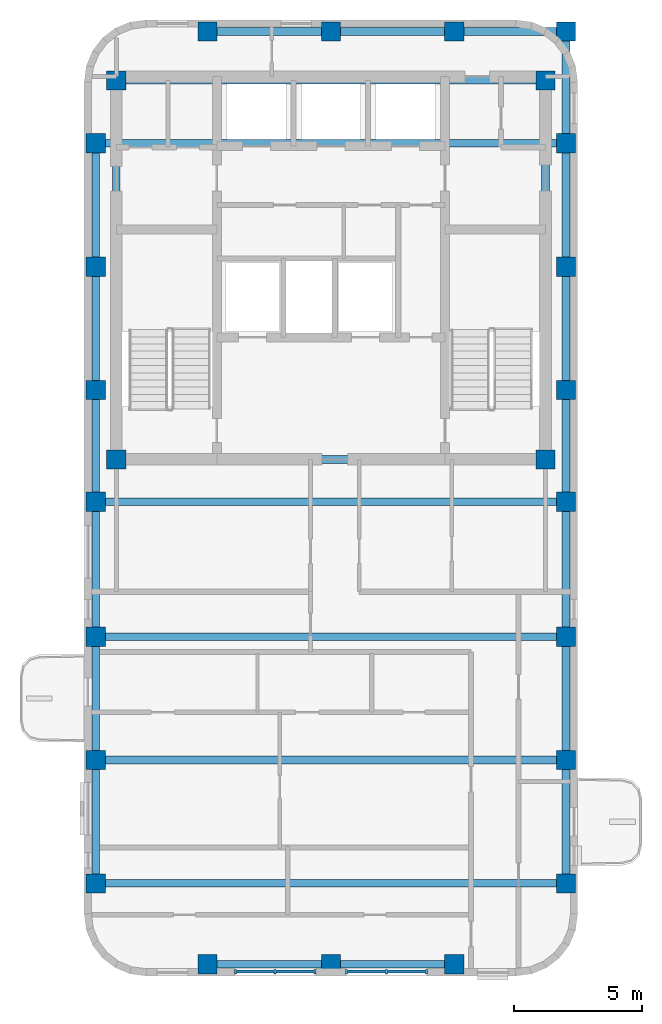
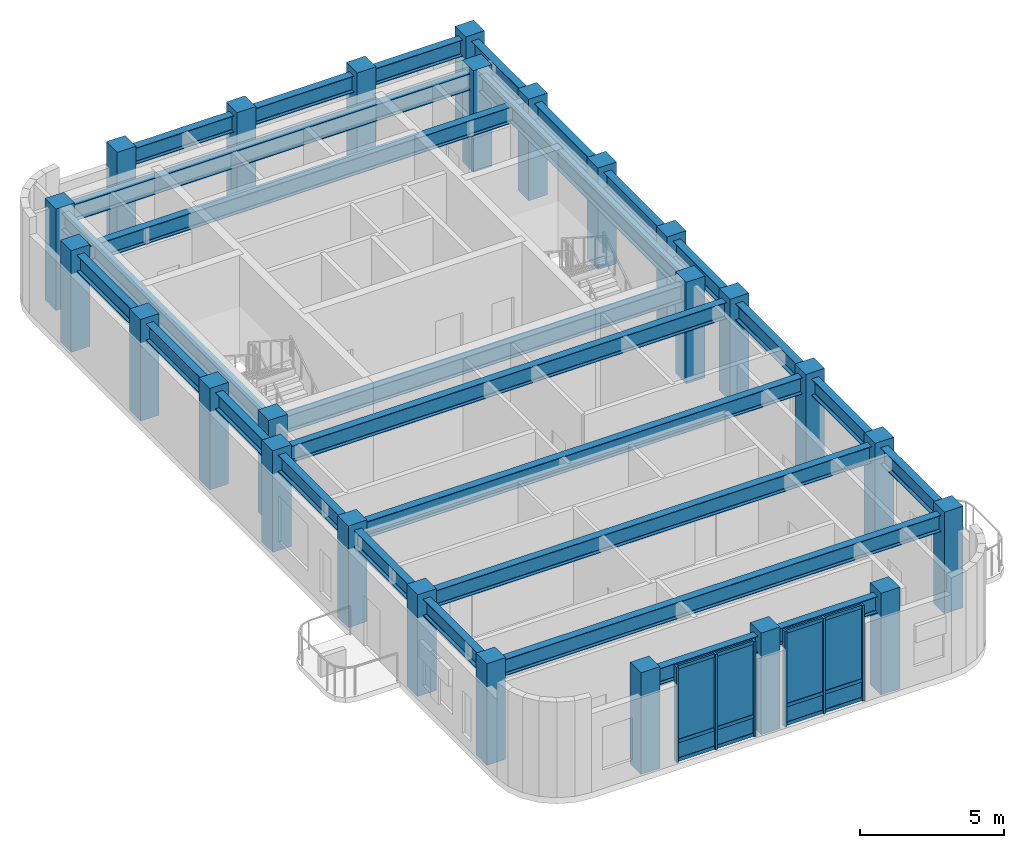
# One storey, part 1 of 6: 27 beams, 25 columns, 18 members, 8 plates, 2 elements without a shape of their own.
"""IFC4 building model written with IfcOpenShell, lengths in metres."""

from ifc_helpers import new_model, si_unit, direction, frame, origin, origin_2d, place, context, subcontext, project, spatial, rectangle, i_section, extrude, material, layer, layer_set, material_profile, profile_set, type_object, element, aggregate, save


model = new_model("IFC4")

# Units and contexts
model_context = context("Model", 3, precision=1e-05, world=origin(), true_north=direction((0.0, 1.0)))
body_context = subcontext(model_context, "Body", "Model", "MODEL_VIEW")
ifc_project = project(units=[si_unit("LENGTHUNIT", "METRE"), si_unit("AREAUNIT", "SQUARE_METRE"), si_unit("VOLUMEUNIT", "CUBIC_METRE"), si_unit("PLANEANGLEUNIT", "RADIAN"), si_unit("MASSUNIT", "GRAM", prefix="KILO")], contexts=[model_context])

# Site, building, storey
site_placement = place(None, origin())
site = spatial("IfcSite", under=ifc_project, at=site_placement, CompositionType="ELEMENT")
building_placement = place(site_placement, origin())
building = spatial("IfcBuilding", under=site, at=building_placement, Name="Orvandelia Arch Residences", CompositionType="ELEMENT")
storey_placement = place(building_placement, frame((0.0, 0.0, 278.5)))
storey = spatial("IfcBuildingStorey", under=building, at=storey_placement, Name="L72", CompositionType="ELEMENT", Elevation=278.5)

# Columns
ifc_material_1 = material(Name="Concrete C50/60", Category="concrete")
ifc_material_profile_1 = material_profile(ifc_material_1, rectangle(XDim=0.75, YDim=0.75, at=origin_2d()), Name="Concrete C50/60", Category="concrete")
ifc_profile_set_1 = profile_set([ifc_material_profile_1], Name="Concrete C50/60")
column_type = type_object("IfcColumnType", Name="COL-TWR-750", PredefinedType="COLUMN", material=ifc_profile_set_1)
for number, where, z_axis, x_axis, name in (
    (1, (5.25, 14.39990234375, 0.0), (0.0, 0.0, 1.0), (1.0, 0.0, 0.0), "Structural Column L72-W-W-144"),
    (2, (5.25, 19.199951171875, 0.0), (0.0, 0.0, 1.0), (1.0, 0.0, 0.0), "Structural Column L72-W-W-192"),
    (3, (5.25, 24.0, 0.0), (0.0, 0.0, 1.0), (1.0, 0.0, 0.0), "Structural Column L72-W-W-240"),
    (4, (5.25, 29.25, 0.0), (0.0, 0.0, 1.0), (1.0, 0.0, 0.0), "Structural Column L72-W-W-292"),
    (5, (5.25, 33.60009765625, 0.0), (0.0, 0.0, 1.0), (1.0, 0.0, 0.0), "Structural Column L72-W-W-336"),
    (6, (5.25, 38.39990234375, 0.0), (0.0, 0.0, 1.0), (1.0, 0.0, 0.0), "Structural Column L72-W-W-384"),
    (7, (5.25, 43.199951171875, 0.0), (0.0, 0.0, 1.0), (1.0, 0.0, 0.0), "Structural Column L72-W-W-432"),
    (8, (6.050048828125, 30.89990234375, 0.0), (0.0, 0.0, 1.0), (1.0, 0.0, 0.0), "Structural Column L72-CR-SW"),
    (9, (6.050048828125, 45.64990234375, 0.0), (0.0, 0.0, 1.0), (1.0, 0.0, 0.0), "Structural Column L72-CR-NW"),
    (10, (9.60009765625, 11.25, 0.0), (0.0, 0.0, 1.0), (1.0, 0.0, 0.0), "Structural Column L72-W-S-96"),
    (11, (9.60009765625, 47.550048828125, 0.0), (0.0, 0.0, 1.0), (1.0, 0.0, 0.0), "Structural Column L72-W-N-96"),
    (12, (14.39990234375, 11.25, 0.0), (0.0, 0.0, 1.0), (1.0, 0.0, 0.0), "Structural Column L72-W-S-144"),
    (13, (14.39990234375, 47.550048828125, 0.0), (0.0, 0.0, 1.0), (1.0, 0.0, 0.0), "Structural Column L72-W-N-144"),
    (14, (19.199951171875, 11.25, 0.0), (0.0, 0.0, 1.0), (1.0, 0.0, 0.0), "Structural Column L72-W-S-192"),
    (15, (19.199951171875, 47.550048828125, 0.0), (0.0, 0.0, 1.0), (1.0, 0.0, 0.0), "Structural Column L72-W-N-192"),
    (16, (22.75, 30.89990234375, 0.0), (0.0, 0.0, 1.0), (1.0, 0.0, 0.0), "Structural Column L72-CR-SE"),
    (17, (22.75, 45.64990234375, 0.0), (0.0, 0.0, 1.0), (1.0, 0.0, 0.0), "Structural Column L72-CR-NE"),
    (18, (23.550048828125, 14.39990234375, 0.0), (0.0, 0.0, 1.0), (1.0, 0.0, 0.0), "Structural Column L72-W-E-144"),
    (19, (23.550048828125, 19.199951171875, 0.0), (0.0, 0.0, 1.0), (1.0, 0.0, 0.0), "Structural Column L72-W-E-192"),
    (20, (23.550048828125, 24.0, 0.0), (0.0, 0.0, 1.0), (1.0, 0.0, 0.0), "Structural Column L72-W-E-240"),
    (21, (23.550048828125, 29.25, 0.0), (0.0, 0.0, 1.0), (1.0, 0.0, 0.0), "Structural Column L72-W-E-292"),
    (22, (23.550048828125, 33.60009765625, 0.0), (0.0, 0.0, 1.0), (1.0, 0.0, 0.0), "Structural Column L72-W-E-336"),
    (23, (23.550048828125, 38.39990234375, 0.0), (0.0, 0.0, 1.0), (1.0, 0.0, 0.0), "Structural Column L72-W-E-384"),
    (24, (23.550048828125, 43.199951171875, 0.0), (0.0, 0.0, 1.0), (1.0, 0.0, 0.0), "Structural Column L72-W-E-432"),
    (25, (23.550048828125, 47.550048828125, 0.0), (0.0, 0.0, 1.0), (1.0, 0.0, 0.0), "Structural Column L72-W-N-235"),
):
    element("IfcColumn", number, at=place(storey_placement, frame(where, z_axis=z_axis, x_axis=x_axis)), inside=storey, type_object=column_type, Name=name, PredefinedType="COLUMN", context=body_context, shape_type="SweptSolid", body=[
        extrude(rectangle(XDim=0.75, YDim=0.75, at=origin_2d()), origin(), (0.0, 0.0, 1.0), 4.300048828125),
    ])

# Beams
ifc_material_2 = material(Name="Structural Steel SM355 (355 MPa)", Category="steel")
ifc_material_profile_2 = material_profile(ifc_material_2, i_section(OverallWidth=0.300048828125, OverallDepth=0.699951171875, WebThickness=0.012939453125, FlangeThickness=0.02392578125, FilletRadius=0.02392578125, at=origin_2d()), Name="Structural Steel SM355 (355 MPa)", Category="steel")
ifc_profile_set_2 = profile_set([ifc_material_profile_2], Name="Structural Steel SM355 (355 MPa)")
beam_type = type_object("IfcBeamType", Name="BM-GRD-H700", PredefinedType="BEAM", material=ifc_profile_set_2)
for number, where, z_axis, x_axis, name in (
    (26, (5.25, 14.39990234375, 3.68994140625), (0.0, 1.0, 0.0), (-1.0, 0.0, 0.0), "Structural Frame Beam L72-NS-001"),
    (27, (5.25, 19.199951171875, 3.68994140625), (0.0, 1.0, 0.0), (-1.0, 0.0, 0.0), "Structural Frame Beam L72-NS-002"),
):
    element("IfcBeam", number, at=place(storey_placement, frame(where, z_axis=z_axis, x_axis=x_axis)), inside=storey, type_object=beam_type, Name=name, PredefinedType="BEAM", context=body_context, shape_type="SweptSolid", body=[
        extrude(i_section(OverallWidth=0.300048828125, OverallDepth=0.699951171875, WebThickness=0.012939453125, FlangeThickness=0.02392578125, FilletRadius=0.02392578125, at=origin_2d()), origin(), (0.0, 0.0, 1.0), 4.800048828125),
    ])
beam_1_placement = place(storey_placement, frame((5.25, 24.0, 3.68994140625), z_axis=(0.0, 1.0, 0.0), x_axis=(-1.0, 0.0, 0.0)))
element("IfcBeam", 28, at=beam_1_placement, inside=storey, type_object=beam_type, Name="Structural Frame Beam L72-NS-003", PredefinedType="BEAM", context=body_context, shape_type="SweptSolid", body=[
    extrude(i_section(OverallWidth=0.300048828125, OverallDepth=0.699951171875, WebThickness=0.012939453125, FlangeThickness=0.02392578125, FilletRadius=0.02392578125, at=origin_2d()), origin(), (0.0, 0.0, 1.0), 5.25),
])
beam_2_placement = place(storey_placement, frame((5.25, 29.25, 3.68994140625), z_axis=(0.0, 1.0, 0.0), x_axis=(-1.0, 0.0, 0.0)))
element("IfcBeam", 29, at=beam_2_placement, inside=storey, type_object=beam_type, Name="Structural Frame Beam L72-NS-004", PredefinedType="BEAM", context=body_context, shape_type="SweptSolid", body=[
    extrude(i_section(OverallWidth=0.300048828125, OverallDepth=0.699951171875, WebThickness=0.012939453125, FlangeThickness=0.02392578125, FilletRadius=0.02392578125, at=origin_2d()), origin(), (0.0, 0.0, 1.0), 4.35009765625),
])
beam_3_placement = place(storey_placement, frame((5.25, 33.60009765625, 3.68994140625), z_axis=(0.0, 1.0, 0.0), x_axis=(-1.0, 0.0, 0.0)))
element("IfcBeam", 30, at=beam_3_placement, inside=storey, type_object=beam_type, Name="Structural Frame Beam L72-NS-005", PredefinedType="BEAM", context=body_context, shape_type="SweptSolid", body=[
    extrude(i_section(OverallWidth=0.300048828125, OverallDepth=0.699951171875, WebThickness=0.012939453125, FlangeThickness=0.02392578125, FilletRadius=0.02392578125, at=origin_2d()), origin(), (0.0, 0.0, 1.0), 4.7998046875),
])
beam_4_placement = place(storey_placement, frame((5.25, 38.39990234375, 3.68994140625), z_axis=(0.0, 1.0, 0.0), x_axis=(-1.0, 0.0, 0.0)))
element("IfcBeam", 31, at=beam_4_placement, inside=storey, type_object=beam_type, Name="Structural Frame Beam L72-NS-006", PredefinedType="BEAM", context=body_context, shape_type="SweptSolid", body=[
    extrude(i_section(OverallWidth=0.300048828125, OverallDepth=0.699951171875, WebThickness=0.012939453125, FlangeThickness=0.02392578125, FilletRadius=0.02392578125, at=origin_2d()), origin(), (0.0, 0.0, 1.0), 4.800048828125),
])
for number, where, z_axis, x_axis, name in (
    (32, (6.050048828125, 30.89990234375, 3.68994140625), (0.0, 1.0, 0.0), (-1.0, 0.0, 0.0), "Structural Frame Beam L72-NS-007"),
    (33, (22.75, 30.89990234375, 3.68994140625), (0.0, 1.0, 0.0), (-1.0, 0.0, 0.0), "Structural Frame Beam L72-NS-008"),
):
    element("IfcBeam", number, at=place(storey_placement, frame(where, z_axis=z_axis, x_axis=x_axis)), inside=storey, type_object=beam_type, Name=name, PredefinedType="BEAM", context=body_context, shape_type="SweptSolid", body=[
        extrude(i_section(OverallWidth=0.300048828125, OverallDepth=0.699951171875, WebThickness=0.012939453125, FlangeThickness=0.02392578125, FilletRadius=0.02392578125, at=origin_2d()), origin(), (0.0, 0.0, 1.0), 14.75),
    ])
for number, where, z_axis, x_axis, name in (
    (34, (23.550048828125, 14.39990234375, 3.68994140625), (0.0, 1.0, 0.0), (-1.0, 0.0, 0.0), "Structural Frame Beam L72-NS-009"),
    (35, (23.550048828125, 19.199951171875, 3.68994140625), (0.0, 1.0, 0.0), (-1.0, 0.0, 0.0), "Structural Frame Beam L72-NS-010"),
):
    element("IfcBeam", number, at=place(storey_placement, frame(where, z_axis=z_axis, x_axis=x_axis)), inside=storey, type_object=beam_type, Name=name, PredefinedType="BEAM", context=body_context, shape_type="SweptSolid", body=[
        extrude(i_section(OverallWidth=0.300048828125, OverallDepth=0.699951171875, WebThickness=0.012939453125, FlangeThickness=0.02392578125, FilletRadius=0.02392578125, at=origin_2d()), origin(), (0.0, 0.0, 1.0), 4.800048828125),
    ])
beam_5_placement = place(storey_placement, frame((23.550048828125, 24.0, 3.68994140625), z_axis=(0.0, 1.0, 0.0), x_axis=(-1.0, 0.0, 0.0)))
element("IfcBeam", 36, at=beam_5_placement, inside=storey, type_object=beam_type, Name="Structural Frame Beam L72-NS-011", PredefinedType="BEAM", context=body_context, shape_type="SweptSolid", body=[
    extrude(i_section(OverallWidth=0.300048828125, OverallDepth=0.699951171875, WebThickness=0.012939453125, FlangeThickness=0.02392578125, FilletRadius=0.02392578125, at=origin_2d()), origin(), (0.0, 0.0, 1.0), 5.25),
])
beam_6_placement = place(storey_placement, frame((23.550048828125, 29.25, 3.68994140625), z_axis=(0.0, 1.0, 0.0), x_axis=(-1.0, 0.0, 0.0)))
element("IfcBeam", 37, at=beam_6_placement, inside=storey, type_object=beam_type, Name="Structural Frame Beam L72-NS-012", PredefinedType="BEAM", context=body_context, shape_type="SweptSolid", body=[
    extrude(i_section(OverallWidth=0.300048828125, OverallDepth=0.699951171875, WebThickness=0.012939453125, FlangeThickness=0.02392578125, FilletRadius=0.02392578125, at=origin_2d()), origin(), (0.0, 0.0, 1.0), 4.35009765625),
])
beam_7_placement = place(storey_placement, frame((23.550048828125, 33.60009765625, 3.68994140625), z_axis=(0.0, 1.0, 0.0), x_axis=(-1.0, 0.0, 0.0)))
element("IfcBeam", 38, at=beam_7_placement, inside=storey, type_object=beam_type, Name="Structural Frame Beam L72-NS-013", PredefinedType="BEAM", context=body_context, shape_type="SweptSolid", body=[
    extrude(i_section(OverallWidth=0.300048828125, OverallDepth=0.699951171875, WebThickness=0.012939453125, FlangeThickness=0.02392578125, FilletRadius=0.02392578125, at=origin_2d()), origin(), (0.0, 0.0, 1.0), 4.7998046875),
])
beam_8_placement = place(storey_placement, frame((23.550048828125, 38.39990234375, 3.68994140625), z_axis=(0.0, 1.0, 0.0), x_axis=(-1.0, 0.0, 0.0)))
element("IfcBeam", 39, at=beam_8_placement, inside=storey, type_object=beam_type, Name="Structural Frame Beam L72-NS-014", PredefinedType="BEAM", context=body_context, shape_type="SweptSolid", body=[
    extrude(i_section(OverallWidth=0.300048828125, OverallDepth=0.699951171875, WebThickness=0.012939453125, FlangeThickness=0.02392578125, FilletRadius=0.02392578125, at=origin_2d()), origin(), (0.0, 0.0, 1.0), 4.800048828125),
])
beam_9_placement = place(storey_placement, frame((23.550048828125, 43.199951171875, 3.68994140625), z_axis=(0.0, 1.0, 0.0), x_axis=(-1.0, 0.0, 0.0)))
element("IfcBeam", 40, at=beam_9_placement, inside=storey, type_object=beam_type, Name="Structural Frame Beam L72-NS-015", PredefinedType="BEAM", context=body_context, shape_type="SweptSolid", body=[
    extrude(i_section(OverallWidth=0.300048828125, OverallDepth=0.699951171875, WebThickness=0.012939453125, FlangeThickness=0.02392578125, FilletRadius=0.02392578125, at=origin_2d()), origin(), (0.0, 0.0, 1.0), 4.35009765625),
])
beam_10_placement = place(storey_placement, frame((9.60009765625, 11.25, 3.68994140625), z_axis=(1.0, 0.0, 0.0), x_axis=(0.0, 1.0, 0.0)))
element("IfcBeam", 41, at=beam_10_placement, inside=storey, type_object=beam_type, Name="Structural Frame Girder L72-EW-016", PredefinedType="BEAM", context=body_context, shape_type="SweptSolid", body=[
    extrude(i_section(OverallWidth=0.300048828125, OverallDepth=0.699951171875, WebThickness=0.012939453125, FlangeThickness=0.02392578125, FilletRadius=0.02392578125, at=origin_2d()), origin(), (0.0, 0.0, 1.0), 4.7998046875),
])
beam_11_placement = place(storey_placement, frame((14.39990234375, 11.25, 3.68994140625), z_axis=(1.0, 0.0, 0.0), x_axis=(0.0, 1.0, 0.0)))
element("IfcBeam", 42, at=beam_11_placement, inside=storey, type_object=beam_type, Name="Structural Frame Girder L72-EW-017", PredefinedType="BEAM", context=body_context, shape_type="SweptSolid", body=[
    extrude(i_section(OverallWidth=0.300048828125, OverallDepth=0.699951171875, WebThickness=0.012939453125, FlangeThickness=0.02392578125, FilletRadius=0.02392578125, at=origin_2d()), origin(), (0.0, 0.0, 1.0), 4.800048828125),
])
for number, where, z_axis, x_axis, name in (
    (43, (5.25, 14.39990234375, 3.68994140625), (1.0, 0.0, 0.0), (0.0, 1.0, 0.0), "Structural Frame Girder L72-EW-018"),
    (44, (5.25, 19.199951171875, 3.68994140625), (1.0, 0.0, 0.0), (0.0, 1.0, 0.0), "Structural Frame Girder L72-EW-019"),
    (45, (5.25, 24.0, 3.68994140625), (1.0, 0.0, 0.0), (0.0, 1.0, 0.0), "Structural Frame Girder L72-EW-020"),
    (46, (5.25, 29.25, 3.68994140625), (1.0, 0.0, 0.0), (0.0, 1.0, 0.0), "Structural Frame Girder L72-EW-021"),
):
    element("IfcBeam", number, at=place(storey_placement, frame(where, z_axis=z_axis, x_axis=x_axis)), inside=storey, type_object=beam_type, Name=name, PredefinedType="BEAM", context=body_context, shape_type="SweptSolid", body=[
        extrude(i_section(OverallWidth=0.300048828125, OverallDepth=0.699951171875, WebThickness=0.012939453125, FlangeThickness=0.02392578125, FilletRadius=0.02392578125, at=origin_2d()), origin(), (0.0, 0.0, 1.0), 18.300048828125),
    ])
beam_12_placement = place(storey_placement, frame((6.050048828125, 30.89990234375, 3.68994140625), z_axis=(1.0, 0.0, 0.0), x_axis=(0.0, 1.0, 0.0)))
element("IfcBeam", 47, at=beam_12_placement, inside=storey, type_object=beam_type, Name="Structural Frame Girder L72-EW-022", PredefinedType="BEAM", context=body_context, shape_type="SweptSolid", body=[
    extrude(i_section(OverallWidth=0.300048828125, OverallDepth=0.699951171875, WebThickness=0.012939453125, FlangeThickness=0.02392578125, FilletRadius=0.02392578125, at=origin_2d()), origin(), (0.0, 0.0, 1.0), 16.699951171875),
])
beam_13_placement = place(storey_placement, frame((5.25, 43.199951171875, 3.68994140625), z_axis=(1.0, 0.0, 0.0), x_axis=(0.0, 1.0, 0.0)))
element("IfcBeam", 48, at=beam_13_placement, inside=storey, type_object=beam_type, Name="Structural Frame Girder L72-EW-025", PredefinedType="BEAM", context=body_context, shape_type="SweptSolid", body=[
    extrude(i_section(OverallWidth=0.300048828125, OverallDepth=0.699951171875, WebThickness=0.012939453125, FlangeThickness=0.02392578125, FilletRadius=0.02392578125, at=origin_2d()), origin(), (0.0, 0.0, 1.0), 18.300048828125),
])
beam_14_placement = place(storey_placement, frame((6.050048828125, 45.64990234375, 3.68994140625), z_axis=(1.0, 0.0, 0.0), x_axis=(0.0, 1.0, 0.0)))
element("IfcBeam", 49, at=beam_14_placement, inside=storey, type_object=beam_type, Name="Structural Frame Girder L72-EW-026", PredefinedType="BEAM", context=body_context, shape_type="SweptSolid", body=[
    extrude(i_section(OverallWidth=0.300048828125, OverallDepth=0.699951171875, WebThickness=0.012939453125, FlangeThickness=0.02392578125, FilletRadius=0.02392578125, at=origin_2d()), origin(), (0.0, 0.0, 1.0), 16.699951171875),
])
beam_15_placement = place(storey_placement, frame((9.60009765625, 47.550048828125, 3.68994140625), z_axis=(1.0, 0.0, 0.0), x_axis=(0.0, 1.0, 0.0)))
element("IfcBeam", 50, at=beam_15_placement, inside=storey, type_object=beam_type, Name="Structural Frame Girder L72-EW-027", PredefinedType="BEAM", context=body_context, shape_type="SweptSolid", body=[
    extrude(i_section(OverallWidth=0.300048828125, OverallDepth=0.699951171875, WebThickness=0.012939453125, FlangeThickness=0.02392578125, FilletRadius=0.02392578125, at=origin_2d()), origin(), (0.0, 0.0, 1.0), 4.7998046875),
])
beam_16_placement = place(storey_placement, frame((14.39990234375, 47.550048828125, 3.68994140625), z_axis=(1.0, 0.0, 0.0), x_axis=(0.0, 1.0, 0.0)))
element("IfcBeam", 51, at=beam_16_placement, inside=storey, type_object=beam_type, Name="Structural Frame Girder L72-EW-028", PredefinedType="BEAM", context=body_context, shape_type="SweptSolid", body=[
    extrude(i_section(OverallWidth=0.300048828125, OverallDepth=0.699951171875, WebThickness=0.012939453125, FlangeThickness=0.02392578125, FilletRadius=0.02392578125, at=origin_2d()), origin(), (0.0, 0.0, 1.0), 4.800048828125),
])
beam_17_placement = place(storey_placement, frame((19.199951171875, 47.550048828125, 3.68994140625), z_axis=(1.0, 0.0, 0.0), x_axis=(0.0, 1.0, 0.0)))
element("IfcBeam", 52, at=beam_17_placement, inside=storey, type_object=beam_type, Name="Structural Frame Girder L72-EW-029", PredefinedType="BEAM", context=body_context, shape_type="SweptSolid", body=[
    extrude(i_section(OverallWidth=0.300048828125, OverallDepth=0.699951171875, WebThickness=0.012939453125, FlangeThickness=0.02392578125, FilletRadius=0.02392578125, at=origin_2d()), origin(), (0.0, 0.0, 1.0), 4.35009765625),
])

# Curtain wall, members
ifc_material_3 = material(Name="Anodised Bronze Curtain Wall Assembly")
curtain_wall_type = type_object("IfcCurtainWallType", Name="CW-SYS5-CORNER", PredefinedType="NOTDEFINED", material=ifc_material_3)
curtain_wall_1_placement = place(storey_placement, origin())
curtain_wall_1 = element("IfcCurtainWall", 53, at=curtain_wall_1_placement, inside=storey, type_object=curtain_wall_type, Name="Feature Bay Winter-Garden Curtain Wall L72 1", PredefinedType="NOTDEFINED")
ifc_material_4 = material(Name="Anodised Aluminium Alloy 6063-T6", Category="aluminium")
ifc_material_profile_3 = material_profile(ifc_material_4, rectangle(XDim=0.080078125, YDim=0.179931640625, at=origin_2d()), Name="Anodised Aluminium Alloy 6063-T6", Category="aluminium")
ifc_profile_set_3 = profile_set([ifc_material_profile_3], Name="Anodised Aluminium Alloy 6063-T6")
member_type_1 = type_object("IfcMemberType", Name="CW-MULLION-80x160", PredefinedType="MULLION", material=ifc_profile_set_3)
member_1_placement = place(storey_placement, frame((10.679931640625, 10.9599609375, 0.0), z_axis=(0.0, 0.0, 1.0), x_axis=(1.0, 0.0, 0.0)))
member_1 = element("IfcMember", 54, at=member_1_placement, type_object=member_type_1, Name="Curtain Wall Mullion CW-L72-1-M1", PredefinedType="MULLION", context=body_context, shape_type="SweptSolid", body=[
    extrude(rectangle(XDim=0.080078125, YDim=0.179931640625, at=origin_2d()), origin(), (0.0, 0.0, 1.0), 4.0400390625),
])
member_2_placement = place(storey_placement, frame((12.232421875, 10.9599609375, 0.0), z_axis=(0.0, 0.0, 1.0), x_axis=(1.0, 0.0, 0.0)))
member_2 = element("IfcMember", 55, at=member_2_placement, type_object=member_type_1, Name="Curtain Wall Mullion CW-L72-1-M2", PredefinedType="MULLION", context=body_context, shape_type="SweptSolid", body=[
    extrude(rectangle(XDim=0.080078125, YDim=0.179931640625, at=origin_2d()), origin(), (0.0, 0.0, 1.0), 4.0400390625),
])
member_3_placement = place(storey_placement, frame((13.784912109375, 10.9599609375, 0.0), z_axis=(0.0, 0.0, 1.0), x_axis=(1.0, 0.0, 0.0)))
member_3 = element("IfcMember", 56, at=member_3_placement, type_object=member_type_1, Name="Curtain Wall Mullion CW-L72-1-M3", PredefinedType="MULLION", context=body_context, shape_type="SweptSolid", body=[
    extrude(rectangle(XDim=0.080078125, YDim=0.179931640625, at=origin_2d()), origin(), (0.0, 0.0, 1.0), 4.0400390625),
])

curtain_wall_2_placement = place(storey_placement, origin())
curtain_wall_2 = element("IfcCurtainWall", 57, at=curtain_wall_2_placement, inside=storey, type_object=curtain_wall_type, Name="Feature Bay Winter-Garden Curtain Wall L72 2", PredefinedType="NOTDEFINED")
member_4_placement = place(storey_placement, frame((15.014892578125, 10.9599609375, 0.0), z_axis=(0.0, 0.0, 1.0), x_axis=(1.0, 0.0, 0.0)))
member_4 = element("IfcMember", 58, at=member_4_placement, type_object=member_type_1, Name="Curtain Wall Mullion CW-L72-2-M1", PredefinedType="MULLION", context=body_context, shape_type="SweptSolid", body=[
    extrude(rectangle(XDim=0.080078125, YDim=0.179931640625, at=origin_2d()), origin(), (0.0, 0.0, 1.0), 4.0400390625),
])
member_5_placement = place(storey_placement, frame((16.5673828125, 10.9599609375, 0.0), z_axis=(0.0, 0.0, 1.0), x_axis=(1.0, 0.0, 0.0)))
member_5 = element("IfcMember", 59, at=member_5_placement, type_object=member_type_1, Name="Curtain Wall Mullion CW-L72-2-M2", PredefinedType="MULLION", context=body_context, shape_type="SweptSolid", body=[
    extrude(rectangle(XDim=0.080078125, YDim=0.179931640625, at=origin_2d()), origin(), (0.0, 0.0, 1.0), 4.0400390625),
])
member_6_placement = place(storey_placement, frame((18.1201171875, 10.9599609375, 0.0), z_axis=(0.0, 0.0, 1.0), x_axis=(1.0, 0.0, 0.0)))
member_6 = element("IfcMember", 60, at=member_6_placement, type_object=member_type_1, Name="Curtain Wall Mullion CW-L72-2-M3", PredefinedType="MULLION", context=body_context, shape_type="SweptSolid", body=[
    extrude(rectangle(XDim=0.080078125, YDim=0.179931640625, at=origin_2d()), origin(), (0.0, 0.0, 1.0), 4.0400390625),
])

# Member
ifc_material_profile_4 = material_profile(ifc_material_4, rectangle(XDim=0.080078125, YDim=0.139892578125, at=origin_2d()), Name="Anodised Aluminium Alloy 6063-T6", Category="aluminium")
ifc_profile_set_4 = profile_set([ifc_material_profile_4], Name="Anodised Aluminium Alloy 6063-T6")
member_type_2 = type_object("IfcMemberType", Name="CW-TRANSOM-80x140", PredefinedType="USERDEFINED", material=ifc_profile_set_4)
member_7_placement = place(storey_placement, frame((10.705078125, 10.9599609375, 0.070068359375), z_axis=(1.0, 0.0, 0.0), x_axis=(0.0, 1.0, 0.0)))
member_7 = element("IfcMember", 61, at=member_7_placement, type_object=member_type_2, Name="Curtain Wall Transom CW-L72-1-T1-1", ObjectType="TRANSOM", PredefinedType="USERDEFINED", context=body_context, shape_type="SweptSolid", body=[
    extrude(rectangle(XDim=0.080078125, YDim=0.139892578125, at=origin_2d()), origin(), (0.0, 0.0, 1.0), 1.50244140625),
])

member_8_placement = place(storey_placement, frame((10.705078125, 10.9599609375, 0.85009765625), z_axis=(1.0, 0.0, 0.0), x_axis=(0.0, 1.0, 0.0)))
member_8 = element("IfcMember", 62, at=member_8_placement, type_object=member_type_2, Name="Curtain Wall Transom CW-L72-1-T1-2", ObjectType="TRANSOM", PredefinedType="USERDEFINED", context=body_context, shape_type="SweptSolid", body=[
    extrude(rectangle(XDim=0.080078125, YDim=0.139892578125, at=origin_2d()), origin(), (0.0, 0.0, 1.0), 1.50244140625),
])

member_9_placement = place(storey_placement, frame((10.705078125, 10.9599609375, 3.969970703125), z_axis=(1.0, 0.0, 0.0), x_axis=(0.0, 1.0, 0.0)))
member_9 = element("IfcMember", 63, at=member_9_placement, type_object=member_type_2, Name="Curtain Wall Transom CW-L72-1-T1-3", ObjectType="TRANSOM", PredefinedType="USERDEFINED", context=body_context, shape_type="SweptSolid", body=[
    extrude(rectangle(XDim=0.080078125, YDim=0.139892578125, at=origin_2d()), origin(), (0.0, 0.0, 1.0), 1.50244140625),
])

member_10_placement = place(storey_placement, frame((12.257568359375, 10.9599609375, 0.070068359375), z_axis=(1.0, 0.0, 0.0), x_axis=(0.0, 1.0, 0.0)))
member_10 = element("IfcMember", 64, at=member_10_placement, type_object=member_type_2, Name="Curtain Wall Transom CW-L72-1-T2-1", ObjectType="TRANSOM", PredefinedType="USERDEFINED", context=body_context, shape_type="SweptSolid", body=[
    extrude(rectangle(XDim=0.080078125, YDim=0.139892578125, at=origin_2d()), origin(), (0.0, 0.0, 1.0), 1.50244140625),
])

member_11_placement = place(storey_placement, frame((12.257568359375, 10.9599609375, 0.85009765625), z_axis=(1.0, 0.0, 0.0), x_axis=(0.0, 1.0, 0.0)))
member_11 = element("IfcMember", 65, at=member_11_placement, type_object=member_type_2, Name="Curtain Wall Transom CW-L72-1-T2-2", ObjectType="TRANSOM", PredefinedType="USERDEFINED", context=body_context, shape_type="SweptSolid", body=[
    extrude(rectangle(XDim=0.080078125, YDim=0.139892578125, at=origin_2d()), origin(), (0.0, 0.0, 1.0), 1.50244140625),
])

member_12_placement = place(storey_placement, frame((12.257568359375, 10.9599609375, 3.969970703125), z_axis=(1.0, 0.0, 0.0), x_axis=(0.0, 1.0, 0.0)))
member_12 = element("IfcMember", 66, at=member_12_placement, type_object=member_type_2, Name="Curtain Wall Transom CW-L72-1-T2-3", ObjectType="TRANSOM", PredefinedType="USERDEFINED", context=body_context, shape_type="SweptSolid", body=[
    extrude(rectangle(XDim=0.080078125, YDim=0.139892578125, at=origin_2d()), origin(), (0.0, 0.0, 1.0), 1.50244140625),
])

member_13_placement = place(storey_placement, frame((15.0400390625, 10.9599609375, 0.070068359375), z_axis=(1.0, 0.0, 0.0), x_axis=(0.0, 1.0, 0.0)))
member_13 = element("IfcMember", 67, at=member_13_placement, type_object=member_type_2, Name="Curtain Wall Transom CW-L72-2-T1-1", ObjectType="TRANSOM", PredefinedType="USERDEFINED", context=body_context, shape_type="SweptSolid", body=[
    extrude(rectangle(XDim=0.080078125, YDim=0.139892578125, at=origin_2d()), origin(), (0.0, 0.0, 1.0), 1.50244140625),
])

member_14_placement = place(storey_placement, frame((15.0400390625, 10.9599609375, 0.85009765625), z_axis=(1.0, 0.0, 0.0), x_axis=(0.0, 1.0, 0.0)))
member_14 = element("IfcMember", 68, at=member_14_placement, type_object=member_type_2, Name="Curtain Wall Transom CW-L72-2-T1-2", ObjectType="TRANSOM", PredefinedType="USERDEFINED", context=body_context, shape_type="SweptSolid", body=[
    extrude(rectangle(XDim=0.080078125, YDim=0.139892578125, at=origin_2d()), origin(), (0.0, 0.0, 1.0), 1.50244140625),
])

member_15_placement = place(storey_placement, frame((15.0400390625, 10.9599609375, 3.969970703125), z_axis=(1.0, 0.0, 0.0), x_axis=(0.0, 1.0, 0.0)))
member_15 = element("IfcMember", 69, at=member_15_placement, type_object=member_type_2, Name="Curtain Wall Transom CW-L72-2-T1-3", ObjectType="TRANSOM", PredefinedType="USERDEFINED", context=body_context, shape_type="SweptSolid", body=[
    extrude(rectangle(XDim=0.080078125, YDim=0.139892578125, at=origin_2d()), origin(), (0.0, 0.0, 1.0), 1.50244140625),
])

member_16_placement = place(storey_placement, frame((16.592529296875, 10.9599609375, 0.070068359375), z_axis=(1.0, 0.0, 0.0), x_axis=(0.0, 1.0, 0.0)))
member_16 = element("IfcMember", 70, at=member_16_placement, type_object=member_type_2, Name="Curtain Wall Transom CW-L72-2-T2-1", ObjectType="TRANSOM", PredefinedType="USERDEFINED", context=body_context, shape_type="SweptSolid", body=[
    extrude(rectangle(XDim=0.080078125, YDim=0.139892578125, at=origin_2d()), origin(), (0.0, 0.0, 1.0), 1.50244140625),
])

member_17_placement = place(storey_placement, frame((16.592529296875, 10.9599609375, 0.85009765625), z_axis=(1.0, 0.0, 0.0), x_axis=(0.0, 1.0, 0.0)))
member_17 = element("IfcMember", 71, at=member_17_placement, type_object=member_type_2, Name="Curtain Wall Transom CW-L72-2-T2-2", ObjectType="TRANSOM", PredefinedType="USERDEFINED", context=body_context, shape_type="SweptSolid", body=[
    extrude(rectangle(XDim=0.080078125, YDim=0.139892578125, at=origin_2d()), origin(), (0.0, 0.0, 1.0), 1.50244140625),
])

member_18_placement = place(storey_placement, frame((16.592529296875, 10.9599609375, 3.969970703125), z_axis=(1.0, 0.0, 0.0), x_axis=(0.0, 1.0, 0.0)))
member_18 = element("IfcMember", 72, at=member_18_placement, type_object=member_type_2, Name="Curtain Wall Transom CW-L72-2-T2-3", ObjectType="TRANSOM", PredefinedType="USERDEFINED", context=body_context, shape_type="SweptSolid", body=[
    extrude(rectangle(XDim=0.080078125, YDim=0.139892578125, at=origin_2d()), origin(), (0.0, 0.0, 1.0), 1.50244140625),
])

# Plate
ifc_material_5 = material(Name="Insulated Bronze Aluminium Spandrel Panel", Category="aluminium")
ifc_layer_1 = layer(ifc_material_5, 0.0400390625, Name="Insulated Bronze Aluminium Spandrel Panel", Category="aluminium")
ifc_layer_set_1 = layer_set([ifc_layer_1], Name="Insulated Bronze Aluminium Spandrel Panel")
plate_type_1 = type_object("IfcPlateType", Name="CW-PANEL-SPANDREL", PredefinedType="SHEET", material=ifc_layer_set_1)
plate_1_placement = place(storey_placement, frame((11.456298828125, 10.9599609375, 0.125), z_axis=(0.0, 0.0, 1.0), x_axis=(1.0, 0.0, 0.0)))
plate_1 = element("IfcPlate", 73, at=plate_1_placement, type_object=plate_type_1, Name="Curtain Wall Spandrel Panel CW-L72-1-PS1", PredefinedType="SHEET", context=body_context, shape_type="SweptSolid", body=[
    extrude(rectangle(XDim=1.50244140625, YDim=0.0400390625, at=origin_2d()), origin(), (0.0, 0.0, 1.0), 0.669921875),
])

plate_2_placement = place(storey_placement, frame((13.0087890625, 10.9599609375, 0.125), z_axis=(0.0, 0.0, 1.0), x_axis=(1.0, 0.0, 0.0)))
plate_2 = element("IfcPlate", 74, at=plate_2_placement, type_object=plate_type_1, Name="Curtain Wall Spandrel Panel CW-L72-1-PS2", PredefinedType="SHEET", context=body_context, shape_type="SweptSolid", body=[
    extrude(rectangle(XDim=1.50244140625, YDim=0.0400390625, at=origin_2d()), origin(), (0.0, 0.0, 1.0), 0.669921875),
])

plate_3_placement = place(storey_placement, frame((15.791259765625, 10.9599609375, 0.125), z_axis=(0.0, 0.0, 1.0), x_axis=(1.0, 0.0, 0.0)))
plate_3 = element("IfcPlate", 75, at=plate_3_placement, type_object=plate_type_1, Name="Curtain Wall Spandrel Panel CW-L72-2-PS1", PredefinedType="SHEET", context=body_context, shape_type="SweptSolid", body=[
    extrude(rectangle(XDim=1.50244140625, YDim=0.0400390625, at=origin_2d()), origin(), (0.0, 0.0, 1.0), 0.669921875),
])

plate_4_placement = place(storey_placement, frame((17.34375, 10.9599609375, 0.125), z_axis=(0.0, 0.0, 1.0), x_axis=(1.0, 0.0, 0.0)))
plate_4 = element("IfcPlate", 76, at=plate_4_placement, type_object=plate_type_1, Name="Curtain Wall Spandrel Panel CW-L72-2-PS2", PredefinedType="SHEET", context=body_context, shape_type="SweptSolid", body=[
    extrude(rectangle(XDim=1.50244140625, YDim=0.0400390625, at=origin_2d()), origin(), (0.0, 0.0, 1.0), 0.669921875),
])

ifc_material_6 = material(Name="Low-E Laminated Double Glazing", Category="glass")
ifc_layer_2 = layer(ifc_material_6, 0.031982421875, Name="Low-E Laminated Double Glazing", Category="glass")
ifc_layer_set_2 = layer_set([ifc_layer_2], Name="Low-E Laminated Double Glazing")
plate_type_2 = type_object("IfcPlateType", Name="CW-PANEL-VISION", PredefinedType="CURTAIN_PANEL", material=ifc_layer_set_2)
plate_5_placement = place(storey_placement, frame((11.456298828125, 10.9599609375, 0.90478515625), z_axis=(0.0, 0.0, 1.0), x_axis=(1.0, 0.0, 0.0)))
plate_5 = element("IfcPlate", 77, at=plate_5_placement, type_object=plate_type_2, Name="Curtain Wall Vision Glass Panel CW-L72-1-PV1", PredefinedType="CURTAIN_PANEL", context=body_context, shape_type="SweptSolid", body=[
    extrude(rectangle(XDim=1.50244140625, YDim=0.031982421875, at=origin_2d()), origin(), (0.0, 0.0, 1.0), 3.010009765625),
])

plate_6_placement = place(storey_placement, frame((13.0087890625, 10.9599609375, 0.90478515625), z_axis=(0.0, 0.0, 1.0), x_axis=(1.0, 0.0, 0.0)))
plate_6 = element("IfcPlate", 78, at=plate_6_placement, type_object=plate_type_2, Name="Curtain Wall Vision Glass Panel CW-L72-1-PV2", PredefinedType="CURTAIN_PANEL", context=body_context, shape_type="SweptSolid", body=[
    extrude(rectangle(XDim=1.50244140625, YDim=0.031982421875, at=origin_2d()), origin(), (0.0, 0.0, 1.0), 3.010009765625),
])

aggregate(curtain_wall_1, [member_1, member_2, member_3, member_7, member_8, member_9, plate_1, plate_5, member_10, member_11, member_12, plate_2, plate_6])

plate_7_placement = place(storey_placement, frame((15.791259765625, 10.9599609375, 0.90478515625), z_axis=(0.0, 0.0, 1.0), x_axis=(1.0, 0.0, 0.0)))
plate_7 = element("IfcPlate", 79, at=plate_7_placement, type_object=plate_type_2, Name="Curtain Wall Vision Glass Panel CW-L72-2-PV1", PredefinedType="CURTAIN_PANEL", context=body_context, shape_type="SweptSolid", body=[
    extrude(rectangle(XDim=1.50244140625, YDim=0.031982421875, at=origin_2d()), origin(), (0.0, 0.0, 1.0), 3.010009765625),
])

plate_8_placement = place(storey_placement, frame((17.34375, 10.9599609375, 0.90478515625), z_axis=(0.0, 0.0, 1.0), x_axis=(1.0, 0.0, 0.0)))
plate_8 = element("IfcPlate", 80, at=plate_8_placement, type_object=plate_type_2, Name="Curtain Wall Vision Glass Panel CW-L72-2-PV2", PredefinedType="CURTAIN_PANEL", context=body_context, shape_type="SweptSolid", body=[
    extrude(rectangle(XDim=1.50244140625, YDim=0.031982421875, at=origin_2d()), origin(), (0.0, 0.0, 1.0), 3.010009765625),
])

aggregate(curtain_wall_2, [member_4, member_5, member_6, member_13, member_14, member_15, plate_3, plate_7, member_16, member_17, member_18, plate_4, plate_8])

save(model, "model.ifc")
